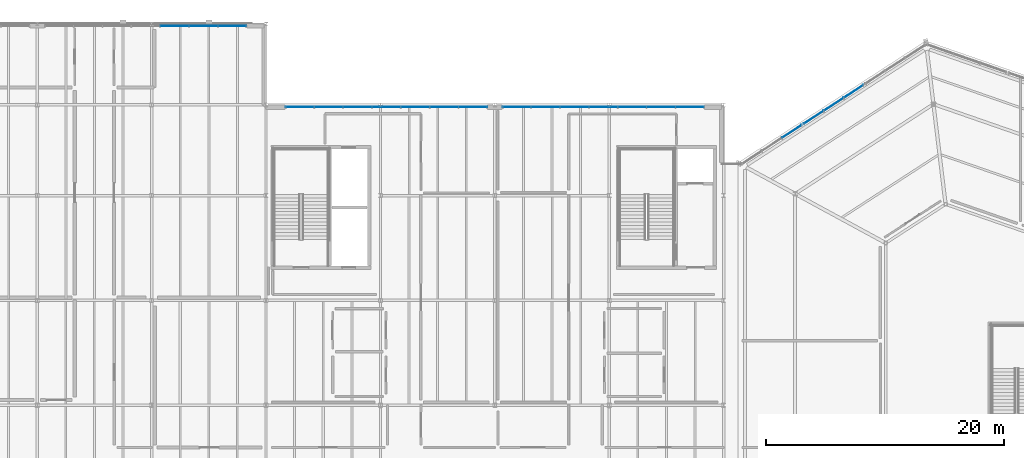
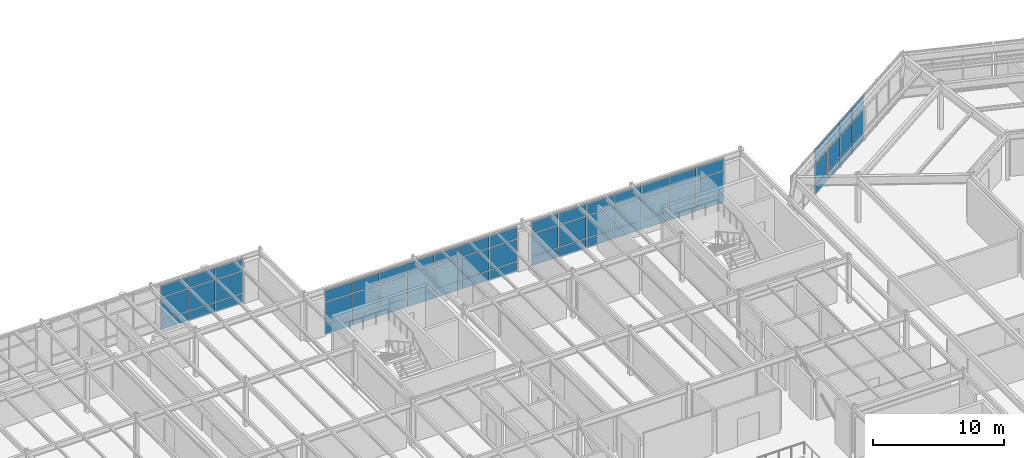
# One storey, part 41 of 69: 63 plates, 5 elements without a shape of their own.
"""IFC4 building model written with IfcOpenShell, lengths in metres."""

from ifc_helpers import new_model, si_unit, direction, frame, origin, origin_2d, place, context, subcontext, project, spatial, rectangle, extrude, material, layer, layer_set, type_object, element, aggregate, save


model = new_model("IFC4")

# Units and contexts
model_context = context("Model", 3, precision=1e-05, world=origin(), true_north=direction((0.0, 1.0)))
body_context = subcontext(model_context, "Body", "Model", "MODEL_VIEW")
ifc_project = project(units=[si_unit("LENGTHUNIT", "METRE"), si_unit("AREAUNIT", "SQUARE_METRE"), si_unit("VOLUMEUNIT", "CUBIC_METRE"), si_unit("PLANEANGLEUNIT", "RADIAN"), si_unit("MASSUNIT", "GRAM", prefix="KILO")], contexts=[model_context])

# Site, building, storey
site_placement = place(None, origin())
site = spatial("IfcSite", under=ifc_project, at=site_placement, CompositionType="ELEMENT")
building_placement = place(site_placement, origin())
building = spatial("IfcBuilding", under=site, at=building_placement, Name="Sarnbrook Museum", CompositionType="ELEMENT")
storey_placement = place(building_placement, frame((0.0, 0.0, 14.60009765625)))
storey = spatial("IfcBuildingStorey", under=building, at=storey_placement, Name="L03", CompositionType="ELEMENT", Elevation=14.60009765625)

# Curtain wall, plates
ifc_material_1 = material(Name="Thermally Broken Anodised Aluminium 6063-T6", Category="aluminium")
curtain_wall_type_1 = type_object("IfcCurtainWallType", Name="CurtainWall_CrystalFacet", PredefinedType="NOTDEFINED", material=ifc_material_1)
curtain_wall_1_placement = place(storey_placement, origin())
curtain_wall_1 = element("IfcCurtainWall", 1, at=curtain_wall_1_placement, inside=storey, type_object=curtain_wall_type_1, Name="Crystal Hall Facet Curtain Wall L03-F6.2", PredefinedType="NOTDEFINED")
ifc_material_2 = material(Name="Double-Glazed Low-Iron Laminated Safety Glass", Category="glass")
ifc_layer_1 = layer(ifc_material_2, 0.031982421875)
ifc_layer_set_1 = layer_set([ifc_layer_1], Name="Double-Glazed Low-Iron Laminated Safety Glass")
plate_type_1 = type_object("IfcPlateType", Name="CW_GlazedPanel_32", PredefinedType="CURTAIN_PANEL", material=ifc_layer_set_1)
plate_1_placement = place(storey_placement, frame((130.115478515625, 109.52734375, 1.875), z_axis=(-0.54428459897, 0.838900634953, 0.0), x_axis=(-0.838900634953, -0.54428459897, 0.0)))
plate_1 = element("IfcPlate", 2, at=plate_1_placement, type_object=plate_type_1, Name="Crystal Hall Facet Curtain Wall L03-F6.2 Glazed Panel 1-2", PredefinedType="CURTAIN_PANEL", context=body_context, shape_type="SweptSolid", body=[
    extrude(rectangle(XDim=1.928955078125, YDim=1.8798828125, at=origin_2d()), origin(), (0.0, 0.0, 1.0), 0.031982421875),
])
plate_2_placement = place(storey_placement, frame((130.115478515625, 109.52734375, 3.544921875), z_axis=(-0.54428459897, 0.838900634953, 0.0), x_axis=(-0.838900634953, -0.54428459897, 0.0)))
plate_2 = element("IfcPlate", 3, at=plate_2_placement, type_object=plate_type_1, Name="Crystal Hall Facet Curtain Wall L03-F6.2 Glazed Panel 1-3", PredefinedType="CURTAIN_PANEL", context=body_context, shape_type="SweptSolid", body=[
    extrude(rectangle(XDim=1.928955078125, YDim=1.320068359375, at=origin_2d()), origin(), (0.0, 0.0, 1.0), 0.031982421875),
])
plate_3_placement = place(storey_placement, frame((128.4345703125, 108.436767578125, 1.875), z_axis=(-0.54428459897, 0.838900634953, 0.0), x_axis=(-0.838900634953, -0.54428459897, 0.0)))
plate_3 = element("IfcPlate", 4, at=plate_3_placement, type_object=plate_type_1, Name="Crystal Hall Facet Curtain Wall L03-F6.2 Glazed Panel 2-2", PredefinedType="CURTAIN_PANEL", context=body_context, shape_type="SweptSolid", body=[
    extrude(rectangle(XDim=1.928955078125, YDim=1.8798828125, at=origin_2d()), origin(), (0.0, 0.0, 1.0), 0.031982421875),
])
plate_4_placement = place(storey_placement, frame((128.4345703125, 108.436767578125, 3.544921875), z_axis=(-0.54428459897, 0.838900634953, 0.0), x_axis=(-0.838900634953, -0.54428459897, 0.0)))
plate_4 = element("IfcPlate", 5, at=plate_4_placement, type_object=plate_type_1, Name="Crystal Hall Facet Curtain Wall L03-F6.2 Glazed Panel 2-3", PredefinedType="CURTAIN_PANEL", context=body_context, shape_type="SweptSolid", body=[
    extrude(rectangle(XDim=1.928955078125, YDim=1.320068359375, at=origin_2d()), origin(), (0.0, 0.0, 1.0), 0.031982421875),
])
plate_5_placement = place(storey_placement, frame((126.75341796875, 107.345947265625, 1.875), z_axis=(-0.54428459897, 0.838900634953, 0.0), x_axis=(-0.838900634953, -0.54428459897, 0.0)))
plate_5 = element("IfcPlate", 6, at=plate_5_placement, type_object=plate_type_1, Name="Crystal Hall Facet Curtain Wall L03-F6.2 Glazed Panel 3-2", PredefinedType="CURTAIN_PANEL", context=body_context, shape_type="SweptSolid", body=[
    extrude(rectangle(XDim=1.928955078125, YDim=1.8798828125, at=origin_2d()), origin(), (0.0, 0.0, 1.0), 0.031982421875),
])
plate_6_placement = place(storey_placement, frame((126.75341796875, 107.345947265625, 3.544921875), z_axis=(-0.54428459897, 0.838900634953, 0.0), x_axis=(-0.838900634953, -0.54428459897, 0.0)))
plate_6 = element("IfcPlate", 7, at=plate_6_placement, type_object=plate_type_1, Name="Crystal Hall Facet Curtain Wall L03-F6.2 Glazed Panel 3-3", PredefinedType="CURTAIN_PANEL", context=body_context, shape_type="SweptSolid", body=[
    extrude(rectangle(XDim=1.928955078125, YDim=1.320068359375, at=origin_2d()), origin(), (0.0, 0.0, 1.0), 0.031982421875),
])

curtain_wall_2_placement = place(storey_placement, origin())
curtain_wall_2 = element("IfcCurtainWall", 8, at=curtain_wall_2_placement, inside=storey, type_object=curtain_wall_type_1, Name="Crystal Hall Facet Curtain Wall L03-F6.3", PredefinedType="NOTDEFINED")
plate_7_placement = place(storey_placement, frame((124.938232421875, 106.168212890625, 1.875), z_axis=(-0.54428459897, 0.838900634953, 0.0), x_axis=(-0.838900634953, -0.54428459897, 0.0)))
plate_7 = element("IfcPlate", 9, at=plate_7_placement, type_object=plate_type_1, Name="Crystal Hall Facet Curtain Wall L03-F6.3 Glazed Panel 1-2", PredefinedType="CURTAIN_PANEL", context=body_context, shape_type="SweptSolid", body=[
    extrude(rectangle(XDim=1.928955078125, YDim=1.8798828125, at=origin_2d()), origin(), (0.0, 0.0, 1.0), 0.031982421875),
])
plate_8_placement = place(storey_placement, frame((124.938232421875, 106.168212890625, 3.544921875), z_axis=(-0.54428459897, 0.838900634953, 0.0), x_axis=(-0.838900634953, -0.54428459897, 0.0)))
plate_8 = element("IfcPlate", 10, at=plate_8_placement, type_object=plate_type_1, Name="Crystal Hall Facet Curtain Wall L03-F6.3 Glazed Panel 1-3", PredefinedType="CURTAIN_PANEL", context=body_context, shape_type="SweptSolid", body=[
    extrude(rectangle(XDim=1.928955078125, YDim=1.320068359375, at=origin_2d()), origin(), (0.0, 0.0, 1.0), 0.031982421875),
])

curtain_wall_type_2 = type_object("IfcCurtainWallType", Name="CurtainWall_GalleryRibbon", PredefinedType="NOTDEFINED", material=ifc_material_1)
curtain_wall_3_placement = place(storey_placement, origin())
curtain_wall_3 = element("IfcCurtainWall", 11, at=curtain_wall_3_placement, inside=storey, type_object=curtain_wall_type_2, Name="Gallery Ribbon Curtain Wall L03-6.1", PredefinedType="NOTDEFINED")
plate_9_placement = place(storey_placement, frame((116.36865234375, 108.2119140625, 1.949951171875), z_axis=(0.0, 1.0, 0.0), x_axis=(-1.0, 0.0, 0.0)))
plate_9 = element("IfcPlate", 12, at=plate_9_placement, type_object=plate_type_1, Name="Gallery Ribbon Curtain Wall L03-6.1 Glazed Panel 1-2", PredefinedType="CURTAIN_PANEL", context=body_context, shape_type="SweptSolid", body=[
    extrude(rectangle(XDim=2.347900390625, YDim=2.030029296875, at=origin_2d()), origin(), (0.0, 0.0, 1.0), 0.031982421875),
])
plate_10_placement = place(storey_placement, frame((116.36865234375, 108.2119140625, 3.579833984375), z_axis=(0.0, 1.0, 0.0), x_axis=(-1.0, 0.0, 0.0)))
plate_10 = element("IfcPlate", 13, at=plate_10_placement, type_object=plate_type_1, Name="Gallery Ribbon Curtain Wall L03-6.1 Glazed Panel 1-3", PredefinedType="CURTAIN_PANEL", context=body_context, shape_type="SweptSolid", body=[
    extrude(rectangle(XDim=2.347900390625, YDim=1.090087890625, at=origin_2d()), origin(), (0.0, 0.0, 1.0), 0.031982421875),
])
plate_11_placement = place(storey_placement, frame((113.94580078125, 108.2119140625, 1.949951171875), z_axis=(0.0, 1.0, 0.0), x_axis=(-1.0, 0.0, 0.0)))
plate_11 = element("IfcPlate", 14, at=plate_11_placement, type_object=plate_type_1, Name="Gallery Ribbon Curtain Wall L03-6.1 Glazed Panel 2-2", PredefinedType="CURTAIN_PANEL", context=body_context, shape_type="SweptSolid", body=[
    extrude(rectangle(XDim=2.347900390625, YDim=2.030029296875, at=origin_2d()), origin(), (0.0, 0.0, 1.0), 0.031982421875),
])
plate_12_placement = place(storey_placement, frame((113.94580078125, 108.2119140625, 3.579833984375), z_axis=(0.0, 1.0, 0.0), x_axis=(-1.0, 0.0, 0.0)))
plate_12 = element("IfcPlate", 15, at=plate_12_placement, type_object=plate_type_1, Name="Gallery Ribbon Curtain Wall L03-6.1 Glazed Panel 2-3", PredefinedType="CURTAIN_PANEL", context=body_context, shape_type="SweptSolid", body=[
    extrude(rectangle(XDim=2.347900390625, YDim=1.090087890625, at=origin_2d()), origin(), (0.0, 0.0, 1.0), 0.031982421875),
])
plate_13_placement = place(storey_placement, frame((111.52294921875, 108.2119140625, 1.949951171875), z_axis=(0.0, 1.0, 0.0), x_axis=(-1.0, 0.0, 0.0)))
plate_13 = element("IfcPlate", 16, at=plate_13_placement, type_object=plate_type_1, Name="Gallery Ribbon Curtain Wall L03-6.1 Glazed Panel 3-2", PredefinedType="CURTAIN_PANEL", context=body_context, shape_type="SweptSolid", body=[
    extrude(rectangle(XDim=2.347900390625, YDim=2.030029296875, at=origin_2d()), origin(), (0.0, 0.0, 1.0), 0.031982421875),
])
plate_14_placement = place(storey_placement, frame((111.52294921875, 108.2119140625, 3.579833984375), z_axis=(0.0, 1.0, 0.0), x_axis=(-1.0, 0.0, 0.0)))
plate_14 = element("IfcPlate", 17, at=plate_14_placement, type_object=plate_type_1, Name="Gallery Ribbon Curtain Wall L03-6.1 Glazed Panel 3-3", PredefinedType="CURTAIN_PANEL", context=body_context, shape_type="SweptSolid", body=[
    extrude(rectangle(XDim=2.347900390625, YDim=1.090087890625, at=origin_2d()), origin(), (0.0, 0.0, 1.0), 0.031982421875),
])
plate_15_placement = place(storey_placement, frame((109.10009765625, 108.2119140625, 1.949951171875), z_axis=(0.0, 1.0, 0.0), x_axis=(-1.0, 0.0, 0.0)))
plate_15 = element("IfcPlate", 18, at=plate_15_placement, type_object=plate_type_1, Name="Gallery Ribbon Curtain Wall L03-6.1 Glazed Panel 4-2", PredefinedType="CURTAIN_PANEL", context=body_context, shape_type="SweptSolid", body=[
    extrude(rectangle(XDim=2.347900390625, YDim=2.030029296875, at=origin_2d()), origin(), (0.0, 0.0, 1.0), 0.031982421875),
])
plate_16_placement = place(storey_placement, frame((109.10009765625, 108.2119140625, 3.579833984375), z_axis=(0.0, 1.0, 0.0), x_axis=(-1.0, 0.0, 0.0)))
plate_16 = element("IfcPlate", 19, at=plate_16_placement, type_object=plate_type_1, Name="Gallery Ribbon Curtain Wall L03-6.1 Glazed Panel 4-3", PredefinedType="CURTAIN_PANEL", context=body_context, shape_type="SweptSolid", body=[
    extrude(rectangle(XDim=2.347900390625, YDim=1.090087890625, at=origin_2d()), origin(), (0.0, 0.0, 1.0), 0.031982421875),
])
plate_17_placement = place(storey_placement, frame((106.677001953125, 108.2119140625, 1.949951171875), z_axis=(0.0, 1.0, 0.0), x_axis=(-1.0, 0.0, 0.0)))
plate_17 = element("IfcPlate", 20, at=plate_17_placement, type_object=plate_type_1, Name="Gallery Ribbon Curtain Wall L03-6.1 Glazed Panel 5-2", PredefinedType="CURTAIN_PANEL", context=body_context, shape_type="SweptSolid", body=[
    extrude(rectangle(XDim=2.347900390625, YDim=2.030029296875, at=origin_2d()), origin(), (0.0, 0.0, 1.0), 0.031982421875),
])
plate_18_placement = place(storey_placement, frame((106.677001953125, 108.2119140625, 3.579833984375), z_axis=(0.0, 1.0, 0.0), x_axis=(-1.0, 0.0, 0.0)))
plate_18 = element("IfcPlate", 21, at=plate_18_placement, type_object=plate_type_1, Name="Gallery Ribbon Curtain Wall L03-6.1 Glazed Panel 5-3", PredefinedType="CURTAIN_PANEL", context=body_context, shape_type="SweptSolid", body=[
    extrude(rectangle(XDim=2.347900390625, YDim=1.090087890625, at=origin_2d()), origin(), (0.0, 0.0, 1.0), 0.031982421875),
])
plate_19_placement = place(storey_placement, frame((104.25439453125, 108.2119140625, 1.949951171875), z_axis=(0.0, 1.0, 0.0), x_axis=(-1.0, 0.0, 0.0)))
plate_19 = element("IfcPlate", 22, at=plate_19_placement, type_object=plate_type_1, Name="Gallery Ribbon Curtain Wall L03-6.1 Glazed Panel 6-2", PredefinedType="CURTAIN_PANEL", context=body_context, shape_type="SweptSolid", body=[
    extrude(rectangle(XDim=2.347900390625, YDim=2.030029296875, at=origin_2d()), origin(), (0.0, 0.0, 1.0), 0.031982421875),
])
plate_20_placement = place(storey_placement, frame((104.25439453125, 108.2119140625, 3.579833984375), z_axis=(0.0, 1.0, 0.0), x_axis=(-1.0, 0.0, 0.0)))
plate_20 = element("IfcPlate", 23, at=plate_20_placement, type_object=plate_type_1, Name="Gallery Ribbon Curtain Wall L03-6.1 Glazed Panel 6-3", PredefinedType="CURTAIN_PANEL", context=body_context, shape_type="SweptSolid", body=[
    extrude(rectangle(XDim=2.347900390625, YDim=1.090087890625, at=origin_2d()), origin(), (0.0, 0.0, 1.0), 0.031982421875),
])
plate_21_placement = place(storey_placement, frame((101.831298828125, 108.2119140625, 1.949951171875), z_axis=(0.0, 1.0, 0.0), x_axis=(-1.0, 0.0, 0.0)))
plate_21 = element("IfcPlate", 24, at=plate_21_placement, type_object=plate_type_1, Name="Gallery Ribbon Curtain Wall L03-6.1 Glazed Panel 7-2", PredefinedType="CURTAIN_PANEL", context=body_context, shape_type="SweptSolid", body=[
    extrude(rectangle(XDim=2.347900390625, YDim=2.030029296875, at=origin_2d()), origin(), (0.0, 0.0, 1.0), 0.031982421875),
])
plate_22_placement = place(storey_placement, frame((101.831298828125, 108.2119140625, 3.579833984375), z_axis=(0.0, 1.0, 0.0), x_axis=(-1.0, 0.0, 0.0)))
plate_22 = element("IfcPlate", 25, at=plate_22_placement, type_object=plate_type_1, Name="Gallery Ribbon Curtain Wall L03-6.1 Glazed Panel 7-3", PredefinedType="CURTAIN_PANEL", context=body_context, shape_type="SweptSolid", body=[
    extrude(rectangle(XDim=2.347900390625, YDim=1.090087890625, at=origin_2d()), origin(), (0.0, 0.0, 1.0), 0.031982421875),
])

curtain_wall_4_placement = place(storey_placement, origin())
curtain_wall_4 = element("IfcCurtainWall", 26, at=curtain_wall_4_placement, inside=storey, type_object=curtain_wall_type_2, Name="Gallery Ribbon Curtain Wall L03-6.2", PredefinedType="NOTDEFINED")
plate_23_placement = place(storey_placement, frame((98.168701171875, 108.2119140625, 1.949951171875), z_axis=(0.0, 1.0, 0.0), x_axis=(-1.0, 0.0, 0.0)))
plate_23 = element("IfcPlate", 27, at=plate_23_placement, type_object=plate_type_1, Name="Gallery Ribbon Curtain Wall L03-6.2 Glazed Panel 1-2", PredefinedType="CURTAIN_PANEL", context=body_context, shape_type="SweptSolid", body=[
    extrude(rectangle(XDim=2.347900390625, YDim=2.030029296875, at=origin_2d()), origin(), (0.0, 0.0, 1.0), 0.031982421875),
])
plate_24_placement = place(storey_placement, frame((98.168701171875, 108.2119140625, 3.579833984375), z_axis=(0.0, 1.0, 0.0), x_axis=(-1.0, 0.0, 0.0)))
plate_24 = element("IfcPlate", 28, at=plate_24_placement, type_object=plate_type_1, Name="Gallery Ribbon Curtain Wall L03-6.2 Glazed Panel 1-3", PredefinedType="CURTAIN_PANEL", context=body_context, shape_type="SweptSolid", body=[
    extrude(rectangle(XDim=2.347900390625, YDim=1.090087890625, at=origin_2d()), origin(), (0.0, 0.0, 1.0), 0.031982421875),
])
plate_25_placement = place(storey_placement, frame((95.74560546875, 108.2119140625, 1.949951171875), z_axis=(0.0, 1.0, 0.0), x_axis=(-1.0, 0.0, 0.0)))
plate_25 = element("IfcPlate", 29, at=plate_25_placement, type_object=plate_type_1, Name="Gallery Ribbon Curtain Wall L03-6.2 Glazed Panel 2-2", PredefinedType="CURTAIN_PANEL", context=body_context, shape_type="SweptSolid", body=[
    extrude(rectangle(XDim=2.347900390625, YDim=2.030029296875, at=origin_2d()), origin(), (0.0, 0.0, 1.0), 0.031982421875),
])
plate_26_placement = place(storey_placement, frame((95.74560546875, 108.2119140625, 3.579833984375), z_axis=(0.0, 1.0, 0.0), x_axis=(-1.0, 0.0, 0.0)))
plate_26 = element("IfcPlate", 30, at=plate_26_placement, type_object=plate_type_1, Name="Gallery Ribbon Curtain Wall L03-6.2 Glazed Panel 2-3", PredefinedType="CURTAIN_PANEL", context=body_context, shape_type="SweptSolid", body=[
    extrude(rectangle(XDim=2.347900390625, YDim=1.090087890625, at=origin_2d()), origin(), (0.0, 0.0, 1.0), 0.031982421875),
])
plate_27_placement = place(storey_placement, frame((93.322998046875, 108.2119140625, 1.949951171875), z_axis=(0.0, 1.0, 0.0), x_axis=(-1.0, 0.0, 0.0)))
plate_27 = element("IfcPlate", 31, at=plate_27_placement, type_object=plate_type_1, Name="Gallery Ribbon Curtain Wall L03-6.2 Glazed Panel 3-2", PredefinedType="CURTAIN_PANEL", context=body_context, shape_type="SweptSolid", body=[
    extrude(rectangle(XDim=2.347900390625, YDim=2.030029296875, at=origin_2d()), origin(), (0.0, 0.0, 1.0), 0.031982421875),
])
plate_28_placement = place(storey_placement, frame((93.322998046875, 108.2119140625, 3.579833984375), z_axis=(0.0, 1.0, 0.0), x_axis=(-1.0, 0.0, 0.0)))
plate_28 = element("IfcPlate", 32, at=plate_28_placement, type_object=plate_type_1, Name="Gallery Ribbon Curtain Wall L03-6.2 Glazed Panel 3-3", PredefinedType="CURTAIN_PANEL", context=body_context, shape_type="SweptSolid", body=[
    extrude(rectangle(XDim=2.347900390625, YDim=1.090087890625, at=origin_2d()), origin(), (0.0, 0.0, 1.0), 0.031982421875),
])
plate_29_placement = place(storey_placement, frame((90.89990234375, 108.2119140625, 1.949951171875), z_axis=(0.0, 1.0, 0.0), x_axis=(-1.0, 0.0, 0.0)))
plate_29 = element("IfcPlate", 33, at=plate_29_placement, type_object=plate_type_1, Name="Gallery Ribbon Curtain Wall L03-6.2 Glazed Panel 4-2", PredefinedType="CURTAIN_PANEL", context=body_context, shape_type="SweptSolid", body=[
    extrude(rectangle(XDim=2.347900390625, YDim=2.030029296875, at=origin_2d()), origin(), (0.0, 0.0, 1.0), 0.031982421875),
])
plate_30_placement = place(storey_placement, frame((90.89990234375, 108.2119140625, 3.579833984375), z_axis=(0.0, 1.0, 0.0), x_axis=(-1.0, 0.0, 0.0)))
plate_30 = element("IfcPlate", 34, at=plate_30_placement, type_object=plate_type_1, Name="Gallery Ribbon Curtain Wall L03-6.2 Glazed Panel 4-3", PredefinedType="CURTAIN_PANEL", context=body_context, shape_type="SweptSolid", body=[
    extrude(rectangle(XDim=2.347900390625, YDim=1.090087890625, at=origin_2d()), origin(), (0.0, 0.0, 1.0), 0.031982421875),
])
plate_31_placement = place(storey_placement, frame((88.47705078125, 108.2119140625, 1.949951171875), z_axis=(0.0, 1.0, 0.0), x_axis=(-1.0, 0.0, 0.0)))
plate_31 = element("IfcPlate", 35, at=plate_31_placement, type_object=plate_type_1, Name="Gallery Ribbon Curtain Wall L03-6.2 Glazed Panel 5-2", PredefinedType="CURTAIN_PANEL", context=body_context, shape_type="SweptSolid", body=[
    extrude(rectangle(XDim=2.347900390625, YDim=2.030029296875, at=origin_2d()), origin(), (0.0, 0.0, 1.0), 0.031982421875),
])
plate_32_placement = place(storey_placement, frame((88.47705078125, 108.2119140625, 3.579833984375), z_axis=(0.0, 1.0, 0.0), x_axis=(-1.0, 0.0, 0.0)))
plate_32 = element("IfcPlate", 36, at=plate_32_placement, type_object=plate_type_1, Name="Gallery Ribbon Curtain Wall L03-6.2 Glazed Panel 5-3", PredefinedType="CURTAIN_PANEL", context=body_context, shape_type="SweptSolid", body=[
    extrude(rectangle(XDim=2.347900390625, YDim=1.090087890625, at=origin_2d()), origin(), (0.0, 0.0, 1.0), 0.031982421875),
])
plate_33_placement = place(storey_placement, frame((86.05419921875, 108.2119140625, 1.949951171875), z_axis=(0.0, 1.0, 0.0), x_axis=(-1.0, 0.0, 0.0)))
plate_33 = element("IfcPlate", 37, at=plate_33_placement, type_object=plate_type_1, Name="Gallery Ribbon Curtain Wall L03-6.2 Glazed Panel 6-2", PredefinedType="CURTAIN_PANEL", context=body_context, shape_type="SweptSolid", body=[
    extrude(rectangle(XDim=2.347900390625, YDim=2.030029296875, at=origin_2d()), origin(), (0.0, 0.0, 1.0), 0.031982421875),
])
plate_34_placement = place(storey_placement, frame((86.05419921875, 108.2119140625, 3.579833984375), z_axis=(0.0, 1.0, 0.0), x_axis=(-1.0, 0.0, 0.0)))
plate_34 = element("IfcPlate", 38, at=plate_34_placement, type_object=plate_type_1, Name="Gallery Ribbon Curtain Wall L03-6.2 Glazed Panel 6-3", PredefinedType="CURTAIN_PANEL", context=body_context, shape_type="SweptSolid", body=[
    extrude(rectangle(XDim=2.347900390625, YDim=1.090087890625, at=origin_2d()), origin(), (0.0, 0.0, 1.0), 0.031982421875),
])
plate_35_placement = place(storey_placement, frame((83.63134765625, 108.2119140625, 1.949951171875), z_axis=(0.0, 1.0, 0.0), x_axis=(-1.0, 0.0, 0.0)))
plate_35 = element("IfcPlate", 39, at=plate_35_placement, type_object=plate_type_1, Name="Gallery Ribbon Curtain Wall L03-6.2 Glazed Panel 7-2", PredefinedType="CURTAIN_PANEL", context=body_context, shape_type="SweptSolid", body=[
    extrude(rectangle(XDim=2.347900390625, YDim=2.030029296875, at=origin_2d()), origin(), (0.0, 0.0, 1.0), 0.031982421875),
])
plate_36_placement = place(storey_placement, frame((83.63134765625, 108.2119140625, 3.579833984375), z_axis=(0.0, 1.0, 0.0), x_axis=(-1.0, 0.0, 0.0)))
plate_36 = element("IfcPlate", 40, at=plate_36_placement, type_object=plate_type_1, Name="Gallery Ribbon Curtain Wall L03-6.2 Glazed Panel 7-3", PredefinedType="CURTAIN_PANEL", context=body_context, shape_type="SweptSolid", body=[
    extrude(rectangle(XDim=2.347900390625, YDim=1.090087890625, at=origin_2d()), origin(), (0.0, 0.0, 1.0), 0.031982421875),
])

curtain_wall_5_placement = place(storey_placement, origin())
curtain_wall_5 = element("IfcCurtainWall", 41, at=curtain_wall_5_placement, inside=storey, type_object=curtain_wall_type_2, Name="Gallery Ribbon Curtain Wall L03-8.1", PredefinedType="NOTDEFINED")
plate_37_placement = place(storey_placement, frame((77.968505859375, 115.01220703125, 1.949951171875), z_axis=(0.0, 1.0, 0.0), x_axis=(-1.0, 0.0, 0.0)))
plate_37 = element("IfcPlate", 42, at=plate_37_placement, type_object=plate_type_1, Name="Gallery Ribbon Curtain Wall L03-8.1 Glazed Panel 1-2", PredefinedType="CURTAIN_PANEL", context=body_context, shape_type="SweptSolid", body=[
    extrude(rectangle(XDim=2.347900390625, YDim=2.030029296875, at=origin_2d()), origin(), (0.0, 0.0, 1.0), 0.031982421875),
])
plate_38_placement = place(storey_placement, frame((77.968505859375, 115.01220703125, 3.579833984375), z_axis=(0.0, 1.0, 0.0), x_axis=(-1.0, 0.0, 0.0)))
plate_38 = element("IfcPlate", 43, at=plate_38_placement, type_object=plate_type_1, Name="Gallery Ribbon Curtain Wall L03-8.1 Glazed Panel 1-3", PredefinedType="CURTAIN_PANEL", context=body_context, shape_type="SweptSolid", body=[
    extrude(rectangle(XDim=2.347900390625, YDim=1.090087890625, at=origin_2d()), origin(), (0.0, 0.0, 1.0), 0.031982421875),
])
plate_39_placement = place(storey_placement, frame((75.545654296875, 115.01220703125, 1.949951171875), z_axis=(0.0, 1.0, 0.0), x_axis=(-1.0, 0.0, 0.0)))
plate_39 = element("IfcPlate", 44, at=plate_39_placement, type_object=plate_type_1, Name="Gallery Ribbon Curtain Wall L03-8.1 Glazed Panel 2-2", PredefinedType="CURTAIN_PANEL", context=body_context, shape_type="SweptSolid", body=[
    extrude(rectangle(XDim=2.347900390625, YDim=2.030029296875, at=origin_2d()), origin(), (0.0, 0.0, 1.0), 0.031982421875),
])
plate_40_placement = place(storey_placement, frame((75.545654296875, 115.01220703125, 3.579833984375), z_axis=(0.0, 1.0, 0.0), x_axis=(-1.0, 0.0, 0.0)))
plate_40 = element("IfcPlate", 45, at=plate_40_placement, type_object=plate_type_1, Name="Gallery Ribbon Curtain Wall L03-8.1 Glazed Panel 2-3", PredefinedType="CURTAIN_PANEL", context=body_context, shape_type="SweptSolid", body=[
    extrude(rectangle(XDim=2.347900390625, YDim=1.090087890625, at=origin_2d()), origin(), (0.0, 0.0, 1.0), 0.031982421875),
])
plate_41_placement = place(storey_placement, frame((73.122802734375, 115.01220703125, 1.949951171875), z_axis=(0.0, 1.0, 0.0), x_axis=(-1.0, 0.0, 0.0)))
plate_41 = element("IfcPlate", 46, at=plate_41_placement, type_object=plate_type_1, Name="Gallery Ribbon Curtain Wall L03-8.1 Glazed Panel 3-2", PredefinedType="CURTAIN_PANEL", context=body_context, shape_type="SweptSolid", body=[
    extrude(rectangle(XDim=2.347900390625, YDim=2.030029296875, at=origin_2d()), origin(), (0.0, 0.0, 1.0), 0.031982421875),
])
plate_42_placement = place(storey_placement, frame((73.122802734375, 115.01220703125, 3.579833984375), z_axis=(0.0, 1.0, 0.0), x_axis=(-1.0, 0.0, 0.0)))
plate_42 = element("IfcPlate", 47, at=plate_42_placement, type_object=plate_type_1, Name="Gallery Ribbon Curtain Wall L03-8.1 Glazed Panel 3-3", PredefinedType="CURTAIN_PANEL", context=body_context, shape_type="SweptSolid", body=[
    extrude(rectangle(XDim=2.347900390625, YDim=1.090087890625, at=origin_2d()), origin(), (0.0, 0.0, 1.0), 0.031982421875),
])

# Plate
ifc_material_3 = material(Name="Patinated Architectural Bronze")
ifc_layer_2 = layer(ifc_material_3, 0.044921875)
ifc_layer_set_2 = layer_set([ifc_layer_2], Name="Patinated Architectural Bronze")
plate_type_2 = type_object("IfcPlateType", Name="CW_SpandrelPanel_45", PredefinedType="CURTAIN_PANEL", material=ifc_layer_set_2)
plate_43_placement = place(storey_placement, frame((130.118896484375, 109.52197265625, 0.449951171875), z_axis=(-0.54428459897, 0.838900634953, 0.0), x_axis=(-0.838900634953, -0.54428459897, 0.0)))
plate_43 = element("IfcPlate", 48, at=plate_43_placement, type_object=plate_type_2, Name="Crystal Hall Facet Curtain Wall L03-F6.2 Spandrel Panel 1-1", PredefinedType="CURTAIN_PANEL", context=body_context, shape_type="SweptSolid", body=[
    extrude(rectangle(XDim=1.928955078125, YDim=0.830078125, at=origin_2d()), origin(), (0.0, 0.0, 1.0), 0.044921875),
])

plate_44_placement = place(storey_placement, frame((128.43798828125, 108.431396484375, 0.449951171875), z_axis=(-0.54428459897, 0.838900634953, 0.0), x_axis=(-0.838900634953, -0.54428459897, 0.0)))
plate_44 = element("IfcPlate", 49, at=plate_44_placement, type_object=plate_type_2, Name="Crystal Hall Facet Curtain Wall L03-F6.2 Spandrel Panel 2-1", PredefinedType="CURTAIN_PANEL", context=body_context, shape_type="SweptSolid", body=[
    extrude(rectangle(XDim=1.928955078125, YDim=0.830078125, at=origin_2d()), origin(), (0.0, 0.0, 1.0), 0.044921875),
])

plate_45_placement = place(storey_placement, frame((126.7568359375, 107.340576171875, 0.449951171875), z_axis=(-0.54428459897, 0.838900634953, 0.0), x_axis=(-0.838900634953, -0.54428459897, 0.0)))
plate_45 = element("IfcPlate", 50, at=plate_45_placement, type_object=plate_type_2, Name="Crystal Hall Facet Curtain Wall L03-F6.2 Spandrel Panel 3-1", PredefinedType="CURTAIN_PANEL", context=body_context, shape_type="SweptSolid", body=[
    extrude(rectangle(XDim=1.928955078125, YDim=0.830078125, at=origin_2d()), origin(), (0.0, 0.0, 1.0), 0.044921875),
])

aggregate(curtain_wall_1, [plate_43, plate_1, plate_2, plate_44, plate_3, plate_4, plate_45, plate_5, plate_6])

plate_46_placement = place(storey_placement, frame((124.941650390625, 106.162841796875, 0.449951171875), z_axis=(-0.54428459897, 0.838900634953, 0.0), x_axis=(-0.838900634953, -0.54428459897, 0.0)))
plate_46 = element("IfcPlate", 51, at=plate_46_placement, type_object=plate_type_2, Name="Crystal Hall Facet Curtain Wall L03-F6.3 Spandrel Panel 1-1", PredefinedType="CURTAIN_PANEL", context=body_context, shape_type="SweptSolid", body=[
    extrude(rectangle(XDim=1.928955078125, YDim=0.830078125, at=origin_2d()), origin(), (0.0, 0.0, 1.0), 0.044921875),
])

aggregate(curtain_wall_2, [plate_46, plate_7, plate_8])

plate_47_placement = place(storey_placement, frame((116.36865234375, 108.20556640625, 0.449951171875), z_axis=(0.0, 1.0, 0.0), x_axis=(-1.0, 0.0, 0.0)))
plate_47 = element("IfcPlate", 52, at=plate_47_placement, type_object=plate_type_2, Name="Gallery Ribbon Curtain Wall L03-6.1 Spandrel Panel 1-1", PredefinedType="CURTAIN_PANEL", context=body_context, shape_type="SweptSolid", body=[
    extrude(rectangle(XDim=2.347900390625, YDim=0.830078125, at=origin_2d()), origin(), (0.0, 0.0, 1.0), 0.044921875),
])

plate_48_placement = place(storey_placement, frame((113.94580078125, 108.20556640625, 0.449951171875), z_axis=(0.0, 1.0, 0.0), x_axis=(-1.0, 0.0, 0.0)))
plate_48 = element("IfcPlate", 53, at=plate_48_placement, type_object=plate_type_2, Name="Gallery Ribbon Curtain Wall L03-6.1 Spandrel Panel 2-1", PredefinedType="CURTAIN_PANEL", context=body_context, shape_type="SweptSolid", body=[
    extrude(rectangle(XDim=2.347900390625, YDim=0.830078125, at=origin_2d()), origin(), (0.0, 0.0, 1.0), 0.044921875),
])

plate_49_placement = place(storey_placement, frame((111.52294921875, 108.20556640625, 0.449951171875), z_axis=(0.0, 1.0, 0.0), x_axis=(-1.0, 0.0, 0.0)))
plate_49 = element("IfcPlate", 54, at=plate_49_placement, type_object=plate_type_2, Name="Gallery Ribbon Curtain Wall L03-6.1 Spandrel Panel 3-1", PredefinedType="CURTAIN_PANEL", context=body_context, shape_type="SweptSolid", body=[
    extrude(rectangle(XDim=2.347900390625, YDim=0.830078125, at=origin_2d()), origin(), (0.0, 0.0, 1.0), 0.044921875),
])

plate_50_placement = place(storey_placement, frame((109.10009765625, 108.20556640625, 0.449951171875), z_axis=(0.0, 1.0, 0.0), x_axis=(-1.0, 0.0, 0.0)))
plate_50 = element("IfcPlate", 55, at=plate_50_placement, type_object=plate_type_2, Name="Gallery Ribbon Curtain Wall L03-6.1 Spandrel Panel 4-1", PredefinedType="CURTAIN_PANEL", context=body_context, shape_type="SweptSolid", body=[
    extrude(rectangle(XDim=2.347900390625, YDim=0.830078125, at=origin_2d()), origin(), (0.0, 0.0, 1.0), 0.044921875),
])

plate_51_placement = place(storey_placement, frame((106.677001953125, 108.20556640625, 0.449951171875), z_axis=(0.0, 1.0, 0.0), x_axis=(-1.0, 0.0, 0.0)))
plate_51 = element("IfcPlate", 56, at=plate_51_placement, type_object=plate_type_2, Name="Gallery Ribbon Curtain Wall L03-6.1 Spandrel Panel 5-1", PredefinedType="CURTAIN_PANEL", context=body_context, shape_type="SweptSolid", body=[
    extrude(rectangle(XDim=2.347900390625, YDim=0.830078125, at=origin_2d()), origin(), (0.0, 0.0, 1.0), 0.044921875),
])

plate_52_placement = place(storey_placement, frame((104.25439453125, 108.20556640625, 0.449951171875), z_axis=(0.0, 1.0, 0.0), x_axis=(-1.0, 0.0, 0.0)))
plate_52 = element("IfcPlate", 57, at=plate_52_placement, type_object=plate_type_2, Name="Gallery Ribbon Curtain Wall L03-6.1 Spandrel Panel 6-1", PredefinedType="CURTAIN_PANEL", context=body_context, shape_type="SweptSolid", body=[
    extrude(rectangle(XDim=2.347900390625, YDim=0.830078125, at=origin_2d()), origin(), (0.0, 0.0, 1.0), 0.044921875),
])

plate_53_placement = place(storey_placement, frame((101.831298828125, 108.20556640625, 0.449951171875), z_axis=(0.0, 1.0, 0.0), x_axis=(-1.0, 0.0, 0.0)))
plate_53 = element("IfcPlate", 58, at=plate_53_placement, type_object=plate_type_2, Name="Gallery Ribbon Curtain Wall L03-6.1 Spandrel Panel 7-1", PredefinedType="CURTAIN_PANEL", context=body_context, shape_type="SweptSolid", body=[
    extrude(rectangle(XDim=2.347900390625, YDim=0.830078125, at=origin_2d()), origin(), (0.0, 0.0, 1.0), 0.044921875),
])

aggregate(curtain_wall_3, [plate_47, plate_9, plate_10, plate_48, plate_11, plate_12, plate_49, plate_13, plate_14, plate_50, plate_15, plate_16, plate_51, plate_17, plate_18, plate_52, plate_19, plate_20, plate_53, plate_21, plate_22])

plate_54_placement = place(storey_placement, frame((98.168701171875, 108.20556640625, 0.449951171875), z_axis=(0.0, 1.0, 0.0), x_axis=(-1.0, 0.0, 0.0)))
plate_54 = element("IfcPlate", 59, at=plate_54_placement, type_object=plate_type_2, Name="Gallery Ribbon Curtain Wall L03-6.2 Spandrel Panel 1-1", PredefinedType="CURTAIN_PANEL", context=body_context, shape_type="SweptSolid", body=[
    extrude(rectangle(XDim=2.347900390625, YDim=0.830078125, at=origin_2d()), origin(), (0.0, 0.0, 1.0), 0.044921875),
])

plate_55_placement = place(storey_placement, frame((95.74560546875, 108.20556640625, 0.449951171875), z_axis=(0.0, 1.0, 0.0), x_axis=(-1.0, 0.0, 0.0)))
plate_55 = element("IfcPlate", 60, at=plate_55_placement, type_object=plate_type_2, Name="Gallery Ribbon Curtain Wall L03-6.2 Spandrel Panel 2-1", PredefinedType="CURTAIN_PANEL", context=body_context, shape_type="SweptSolid", body=[
    extrude(rectangle(XDim=2.347900390625, YDim=0.830078125, at=origin_2d()), origin(), (0.0, 0.0, 1.0), 0.044921875),
])

plate_56_placement = place(storey_placement, frame((93.322998046875, 108.20556640625, 0.449951171875), z_axis=(0.0, 1.0, 0.0), x_axis=(-1.0, 0.0, 0.0)))
plate_56 = element("IfcPlate", 61, at=plate_56_placement, type_object=plate_type_2, Name="Gallery Ribbon Curtain Wall L03-6.2 Spandrel Panel 3-1", PredefinedType="CURTAIN_PANEL", context=body_context, shape_type="SweptSolid", body=[
    extrude(rectangle(XDim=2.347900390625, YDim=0.830078125, at=origin_2d()), origin(), (0.0, 0.0, 1.0), 0.044921875),
])

plate_57_placement = place(storey_placement, frame((90.89990234375, 108.20556640625, 0.449951171875), z_axis=(0.0, 1.0, 0.0), x_axis=(-1.0, 0.0, 0.0)))
plate_57 = element("IfcPlate", 62, at=plate_57_placement, type_object=plate_type_2, Name="Gallery Ribbon Curtain Wall L03-6.2 Spandrel Panel 4-1", PredefinedType="CURTAIN_PANEL", context=body_context, shape_type="SweptSolid", body=[
    extrude(rectangle(XDim=2.347900390625, YDim=0.830078125, at=origin_2d()), origin(), (0.0, 0.0, 1.0), 0.044921875),
])

plate_58_placement = place(storey_placement, frame((88.47705078125, 108.20556640625, 0.449951171875), z_axis=(0.0, 1.0, 0.0), x_axis=(-1.0, 0.0, 0.0)))
plate_58 = element("IfcPlate", 63, at=plate_58_placement, type_object=plate_type_2, Name="Gallery Ribbon Curtain Wall L03-6.2 Spandrel Panel 5-1", PredefinedType="CURTAIN_PANEL", context=body_context, shape_type="SweptSolid", body=[
    extrude(rectangle(XDim=2.347900390625, YDim=0.830078125, at=origin_2d()), origin(), (0.0, 0.0, 1.0), 0.044921875),
])

plate_59_placement = place(storey_placement, frame((86.05419921875, 108.20556640625, 0.449951171875), z_axis=(0.0, 1.0, 0.0), x_axis=(-1.0, 0.0, 0.0)))
plate_59 = element("IfcPlate", 64, at=plate_59_placement, type_object=plate_type_2, Name="Gallery Ribbon Curtain Wall L03-6.2 Spandrel Panel 6-1", PredefinedType="CURTAIN_PANEL", context=body_context, shape_type="SweptSolid", body=[
    extrude(rectangle(XDim=2.347900390625, YDim=0.830078125, at=origin_2d()), origin(), (0.0, 0.0, 1.0), 0.044921875),
])

plate_60_placement = place(storey_placement, frame((83.63134765625, 108.20556640625, 0.449951171875), z_axis=(0.0, 1.0, 0.0), x_axis=(-1.0, 0.0, 0.0)))
plate_60 = element("IfcPlate", 65, at=plate_60_placement, type_object=plate_type_2, Name="Gallery Ribbon Curtain Wall L03-6.2 Spandrel Panel 7-1", PredefinedType="CURTAIN_PANEL", context=body_context, shape_type="SweptSolid", body=[
    extrude(rectangle(XDim=2.347900390625, YDim=0.830078125, at=origin_2d()), origin(), (0.0, 0.0, 1.0), 0.044921875),
])

aggregate(curtain_wall_4, [plate_54, plate_23, plate_24, plate_55, plate_25, plate_26, plate_56, plate_27, plate_28, plate_57, plate_29, plate_30, plate_58, plate_31, plate_32, plate_59, plate_33, plate_34, plate_60, plate_35, plate_36])

plate_61_placement = place(storey_placement, frame((77.968505859375, 115.005615234375, 0.449951171875), z_axis=(0.0, 1.0, 0.0), x_axis=(-1.0, 0.0, 0.0)))
plate_61 = element("IfcPlate", 66, at=plate_61_placement, type_object=plate_type_2, Name="Gallery Ribbon Curtain Wall L03-8.1 Spandrel Panel 1-1", PredefinedType="CURTAIN_PANEL", context=body_context, shape_type="SweptSolid", body=[
    extrude(rectangle(XDim=2.347900390625, YDim=0.830078125, at=origin_2d()), origin(), (0.0, 0.0, 1.0), 0.044921875),
])

plate_62_placement = place(storey_placement, frame((75.545654296875, 115.005615234375, 0.449951171875), z_axis=(0.0, 1.0, 0.0), x_axis=(-1.0, 0.0, 0.0)))
plate_62 = element("IfcPlate", 67, at=plate_62_placement, type_object=plate_type_2, Name="Gallery Ribbon Curtain Wall L03-8.1 Spandrel Panel 2-1", PredefinedType="CURTAIN_PANEL", context=body_context, shape_type="SweptSolid", body=[
    extrude(rectangle(XDim=2.347900390625, YDim=0.830078125, at=origin_2d()), origin(), (0.0, 0.0, 1.0), 0.044921875),
])

plate_63_placement = place(storey_placement, frame((73.122802734375, 115.005615234375, 0.449951171875), z_axis=(0.0, 1.0, 0.0), x_axis=(-1.0, 0.0, 0.0)))
plate_63 = element("IfcPlate", 68, at=plate_63_placement, type_object=plate_type_2, Name="Gallery Ribbon Curtain Wall L03-8.1 Spandrel Panel 3-1", PredefinedType="CURTAIN_PANEL", context=body_context, shape_type="SweptSolid", body=[
    extrude(rectangle(XDim=2.347900390625, YDim=0.830078125, at=origin_2d()), origin(), (0.0, 0.0, 1.0), 0.044921875),
])

aggregate(curtain_wall_5, [plate_61, plate_37, plate_38, plate_62, plate_39, plate_40, plate_63, plate_41, plate_42])

save(model, "model.ifc")
